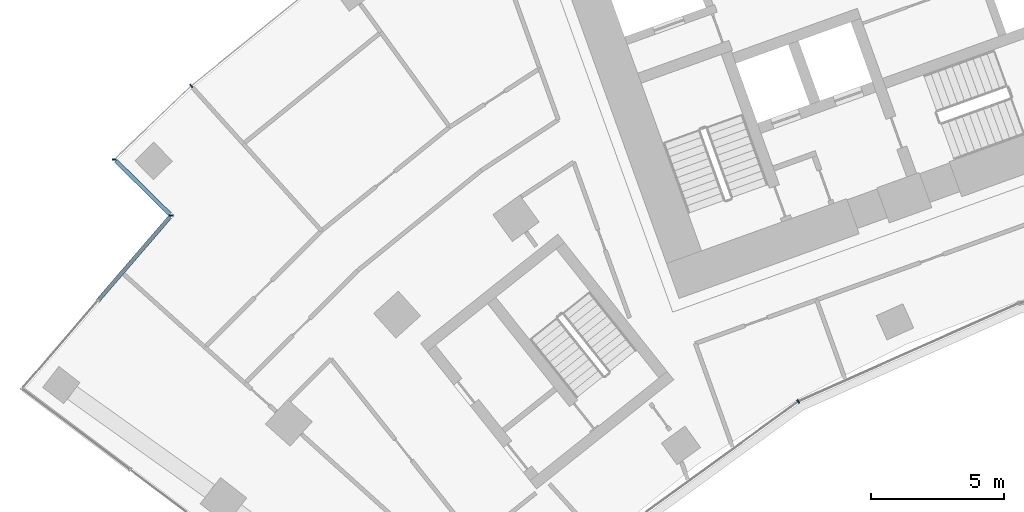
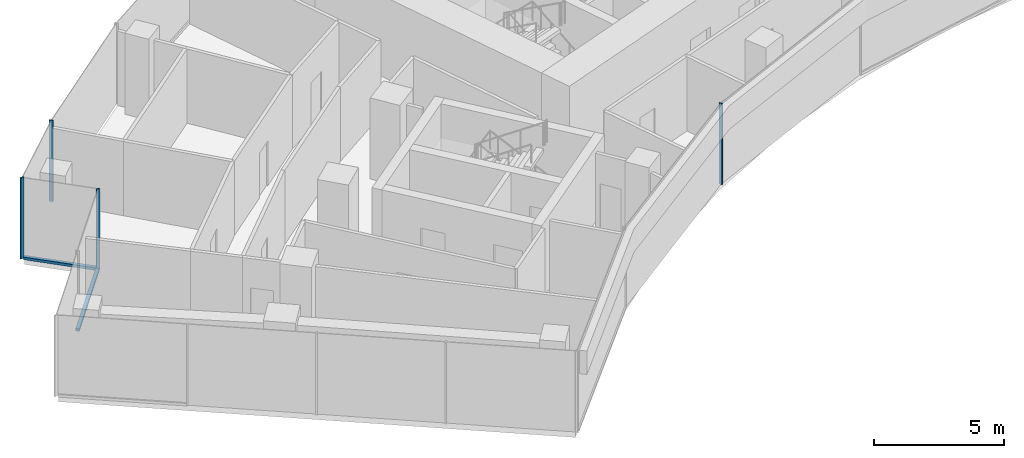
# One storey, part 3 of 20: 6 members, 4 elements without a shape of their own.
"""IFC4 building model written with IfcOpenShell, lengths in metres."""

from ifc_helpers import new_model, si_unit, direction, frame, origin, origin_2d, place, context, subcontext, project, spatial, rectangle, extrude, material, layer, layer_set, material_profile, profile_set, type_object, element, aggregate, save


model = new_model("IFC4")

# Units and contexts
model_context = context("Model", 3, precision=1e-05, world=origin(), true_north=direction((0.0, 1.0)))
body_context = subcontext(model_context, "Body", "Model", "MODEL_VIEW")
ifc_project = project(units=[si_unit("LENGTHUNIT", "METRE"), si_unit("AREAUNIT", "SQUARE_METRE"), si_unit("VOLUMEUNIT", "CUBIC_METRE"), si_unit("PLANEANGLEUNIT", "RADIAN"), si_unit("MASSUNIT", "GRAM", prefix="KILO")], contexts=[model_context])

# Site, building, storey
site_placement = place(None, origin())
site = spatial("IfcSite", under=ifc_project, at=site_placement, CompositionType="ELEMENT")
building_placement = place(site_placement, origin())
building = spatial("IfcBuilding", under=site, at=building_placement, Name="Stone Belt Terrace Tower", CompositionType="ELEMENT")
storey_placement = place(building_placement, frame((0.0, 0.0, 174.39990234375)))
storey = spatial("IfcBuildingStorey", under=building, at=storey_placement, Name="L42", CompositionType="ELEMENT", Elevation=174.39990234375)

# Curtain wall, member
ifc_material = material(Name="Aluminium 6063-T6 anodised frame", Category="aluminium")
ifc_layer_1 = layer(ifc_material, 0.14990234375)
ifc_layer_set_1 = layer_set([ifc_layer_1], Name="CW-A unitised convex-face curtain wall")
curtain_wall_type_1 = type_object("IfcCurtainWallType", Name="CW-A unitised convex-face curtain wall", PredefinedType="NOTDEFINED", material=ifc_layer_set_1)
curtain_wall_1_placement = place(storey_placement, origin())
curtain_wall_1 = element("IfcCurtainWall", 1, at=curtain_wall_1_placement, inside=storey, type_object=curtain_wall_type_1, Name="CW-A convex face L42", PredefinedType="NOTDEFINED")
ifc_material_profile_1 = material_profile(ifc_material, rectangle(XDim=0.14990234375, YDim=0.06005859375, at=origin_2d()), Name="Aluminium 6063-T6 60x150")
ifc_profile_set_1 = profile_set([ifc_material_profile_1], Name="Aluminium 6063-T6 anodised frame")
member_type_1 = type_object("IfcMemberType", Name="CW-A mullion 60 x 150", PredefinedType="MULLION", material=ifc_profile_set_1)
member_1_placement = place(storey_placement, frame((-44.546875, 49.4755859375, 0.0), z_axis=(0.0, 0.0, 1.0), x_axis=(0.660573481499, -0.75076139721, 0.0)))
member_1 = element("IfcMember", 2, at=member_1_placement, type_object=member_type_1, Name="CW-A mullion 15", PredefinedType="MULLION", context=body_context, shape_type="SweptSolid", body=[
    extrude(rectangle(XDim=0.14990234375, YDim=0.06005859375, at=origin_2d()), origin(), (0.0, 0.0, 1.0), 3.800048828125),
])
aggregate(curtain_wall_1, [member_1])

ifc_layer_2 = layer(ifc_material, 0.14990234375)
ifc_layer_set_2 = layer_set([ifc_layer_2], Name="CW-B unitised concave-face curtain wall")
curtain_wall_type_2 = type_object("IfcCurtainWallType", Name="CW-B unitised concave-face curtain wall", PredefinedType="NOTDEFINED", material=ifc_layer_set_2)
curtain_wall_2_placement = place(storey_placement, origin())
curtain_wall_2 = element("IfcCurtainWall", 3, at=curtain_wall_2_placement, inside=storey, type_object=curtain_wall_type_2, Name="CW-B concave face L42", PredefinedType="NOTDEFINED")
ifc_material_profile_2 = material_profile(ifc_material, rectangle(XDim=0.14990234375, YDim=0.050048828125, at=origin_2d()), Name="Aluminium 6063-T6 50x150")
ifc_profile_set_2 = profile_set([ifc_material_profile_2], Name="Aluminium 6063-T6 anodised frame")
member_type_2 = type_object("IfcMemberType", Name="CW-B mullion 50 x 150", PredefinedType="MULLION", material=ifc_profile_set_2)
member_2_placement = place(storey_placement, frame((-21.71240234375, 37.606689453125, 0.0), z_axis=(0.0, 0.0, 1.0), x_axis=(-0.5, 0.866025403784, 0.0)))
member_2 = element("IfcMember", 4, at=member_2_placement, type_object=member_type_2, Name="CW-B mullion 3", PredefinedType="MULLION", context=body_context, shape_type="SweptSolid", body=[
    extrude(rectangle(XDim=0.14990234375, YDim=0.050048828125, at=origin_2d()), origin(), (0.0, 0.0, 1.0), 3.800048828125),
])
aggregate(curtain_wall_2, [member_2])

ifc_layer_3 = layer(ifc_material, 0.14990234375)
ifc_layer_set_3 = layer_set([ifc_layer_3], Name="CW-C stick curtain wall, horn ends and notches")
curtain_wall_type_3 = type_object("IfcCurtainWallType", Name="CW-C stick curtain wall, horn ends and notches", PredefinedType="NOTDEFINED", material=ifc_layer_set_3)
curtain_wall_3_placement = place(storey_placement, origin())
curtain_wall_3 = element("IfcCurtainWall", 5, at=curtain_wall_3_placement, inside=storey, type_object=curtain_wall_type_3, Name="CW-C notch face L42", PredefinedType="NOTDEFINED")
ifc_material_profile_3 = material_profile(ifc_material, rectangle(XDim=0.14990234375, YDim=0.06005859375, at=origin_2d()), Name="Aluminium 6063-T6 60x150")
ifc_profile_set_3 = profile_set([ifc_material_profile_3], Name="Aluminium 6063-T6 anodised frame")
member_type_3 = type_object("IfcMemberType", Name="CW-C mullion 60 x 150", PredefinedType="MULLION", material=ifc_profile_set_3)
member_3_placement = place(storey_placement, frame((-47.4365234375, 46.715087890625, 0.0), z_axis=(0.0, 0.0, 1.0), x_axis=(0.999966480105, -0.008187714406, 0.0)))
member_3 = element("IfcMember", 6, at=member_3_placement, type_object=member_type_3, Name="CW-C mullion 1", PredefinedType="MULLION", context=body_context, shape_type="SweptSolid", body=[
    extrude(rectangle(XDim=0.14990234375, YDim=0.06005859375, at=origin_2d()), origin(), (0.0, 0.0, 1.0), 3.800048828125),
])

curtain_wall_4_placement = place(storey_placement, origin())
curtain_wall_4 = element("IfcCurtainWall", 7, at=curtain_wall_4_placement, inside=storey, type_object=curtain_wall_type_3, Name="CW-C notch face L42", PredefinedType="NOTDEFINED")
member_4_placement = place(storey_placement, frame((-45.29638671875, 44.602783203125, 0.0), z_axis=(0.0, 0.0, 1.0), x_axis=(0.999185209744, 0.040359839301, 0.0)))
member_4 = element("IfcMember", 8, at=member_4_placement, type_object=member_type_3, Name="CW-C mullion 1", PredefinedType="MULLION", context=body_context, shape_type="SweptSolid", body=[
    extrude(rectangle(XDim=0.14990234375, YDim=0.06005859375, at=origin_2d()), origin(), (0.0, 0.0, 1.0), 3.800048828125),
])

# Member
ifc_material_profile_4 = material_profile(ifc_material, rectangle(XDim=0.14990234375, YDim=0.1201171875, at=origin_2d()), Name="Aluminium 6063-T6 150x120")
ifc_profile_set_4 = profile_set([ifc_material_profile_4], Name="Aluminium 6063-T6 anodised frame")
member_type_4 = type_object("IfcMemberType", Name="CW-C transom 120 x 150", PredefinedType="USERDEFINED", material=ifc_profile_set_4)
member_5_placement = place(storey_placement, frame((-47.383544921875, 46.66259765625, 0.06005859375), z_axis=(0.711744791626, -0.702438147877, 0.0), x_axis=(0.702438147877, 0.711744791626, 0.0)))
member_5 = element("IfcMember", 9, at=member_5_placement, type_object=member_type_4, Name="CW-C transom 1.1", ObjectType="TRANSOM", PredefinedType="USERDEFINED", context=body_context, shape_type="SweptSolid", body=[
    extrude(rectangle(XDim=0.14990234375, YDim=0.1201171875, at=origin_2d()), origin(), (0.0, 0.0, 1.0), 2.859375),
])

aggregate(curtain_wall_3, [member_3, member_5])

member_6_placement = place(storey_placement, frame((-45.343994140625, 44.54736328125, 0.06005859375), z_axis=(-0.652755588772, -0.757568572029, 0.0), x_axis=(0.757568572029, -0.652755588772, 0.0)))
member_6 = element("IfcMember", 10, at=member_6_placement, type_object=member_type_4, Name="CW-C transom 1.1", ObjectType="TRANSOM", PredefinedType="USERDEFINED", context=body_context, shape_type="SweptSolid", body=[
    extrude(rectangle(XDim=0.14990234375, YDim=0.1201171875, at=origin_2d()), origin(), (0.0, 0.0, 1.0), 4.12060546875),
])

aggregate(curtain_wall_4, [member_4, member_6])

save(model, "model.ifc")
